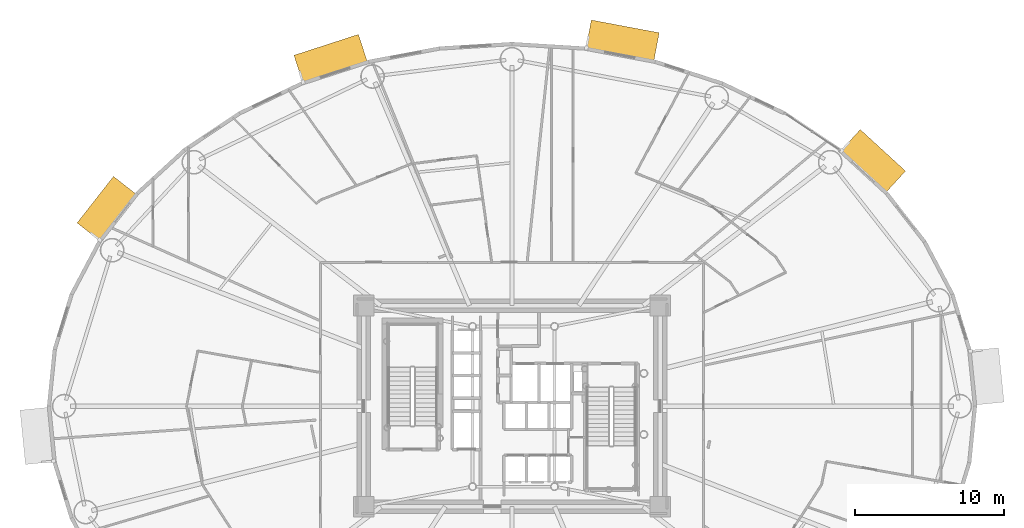
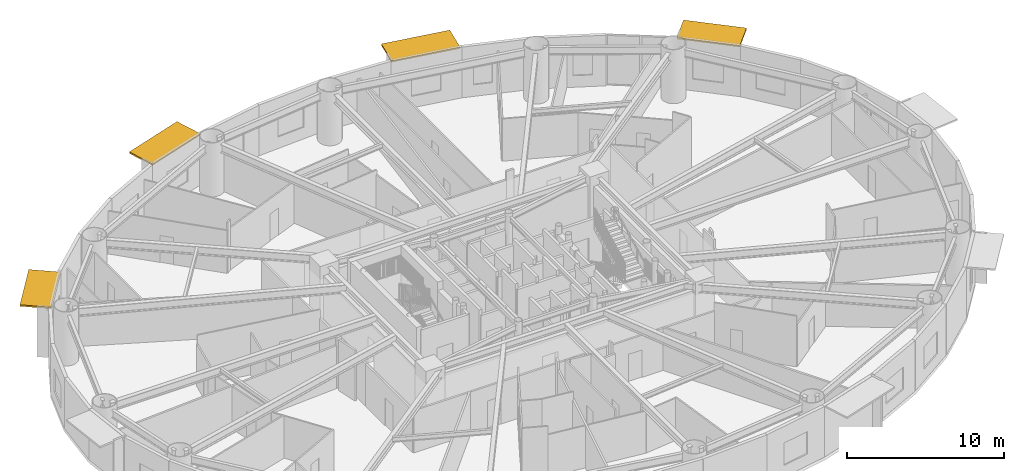
# One storey, part 20 of 20: 4 shading devices.
"""IFC4 building model written with IfcOpenShell, lengths in metres."""

from ifc_helpers import new_model, si_unit, direction, frame, origin, origin_2d, place, context, subcontext, project, spatial, rectangle, extrude, source, transform, mapped, material, layer, layer_set, type_object, element, save


model = new_model("IFC4")

# Units and contexts
model_context = context("Model", 3, precision=1e-05, world=origin(), true_north=direction((0.0, 1.0)))
body_context = subcontext(model_context, "Body", "Model", "MODEL_VIEW")
ifc_project = project(units=[si_unit("LENGTHUNIT", "METRE"), si_unit("AREAUNIT", "SQUARE_METRE"), si_unit("VOLUMEUNIT", "CUBIC_METRE"), si_unit("PLANEANGLEUNIT", "RADIAN"), si_unit("MASSUNIT", "GRAM", prefix="KILO")], contexts=[model_context])

# Site, building, storey
site_placement = place(None, origin())
site = spatial("IfcSite", under=ifc_project, at=site_placement, CompositionType="ELEMENT")
building_placement = place(site_placement, origin())
building = spatial("IfcBuilding", under=site, at=building_placement, Name="Linh Dai School and Residence Tower", CompositionType="ELEMENT")
storey_placement = place(building_placement, frame((0.0, 0.0, 66.0)))
storey = spatial("IfcBuildingStorey", under=building, at=storey_placement, Name="L15", CompositionType="ELEMENT", Elevation=66.0)

# Shading devices
ifc_material = material(Name="Terracotta Ceramic Sunshade", Category="masonry")
ifc_layer = layer(ifc_material, 0.1201171875)
ifc_layer_set = layer_set([ifc_layer], Name="Terracotta Ceramic Sunshade")
shading_device_type = type_object("IfcShadingDeviceType", Name="SHD-TC-2000", PredefinedType="USERDEFINED", material=ifc_layer_set)
shared_shape_1 = source(origin(), body_context, "Body", "SweptSolid", [
    extrude(rectangle(XDim=4.1220703125, YDim=2.0, at=origin_2d()), origin(), (0.0, 0.0, 1.0), 0.1201171875),
])
shading_device_1_placement = place(storey_placement, frame((60.2158203125, 43.43310546875, 3.81005859375), z_axis=(0.0, 0.0, 1.0), x_axis=(0.737113246362, -0.675769237268, 0.0)))
element("IfcShadingDevice", 1, at=shading_device_1_placement, inside=storey, type_object=shading_device_type, Name="L15 Terracotta Horizontal Sunshade Band 05", ObjectType="SUNSHADE", PredefinedType="USERDEFINED", context=body_context, shape_type="MappedRepresentation", body=[
    mapped(shared_shape_1, transform((0.0, 0.0, 0.0), x_axis=(1.0, 0.0, 0.0), y_axis=(0.0, 1.0, 0.0), z_axis=(0.0, 0.0, 1.0), scale=1.0)),
])
shared_shape_2 = source(origin(), body_context, "Body", "SweptSolid", [
    extrude(rectangle(XDim=4.635009765625, YDim=2.0, at=origin_2d()), origin(), (0.0, 0.0, 1.0), 0.1201171875),
])
shading_device_2_placement = place(storey_placement, frame((43.415283203125, 51.502685546875, 3.81005859375), z_axis=(0.0, 0.0, 1.0), x_axis=(0.982785935675, -0.184747948944, 0.0)))
element("IfcShadingDevice", 2, at=shading_device_2_placement, inside=storey, type_object=shading_device_type, Name="L15 Terracotta Horizontal Sunshade Band 09", ObjectType="SUNSHADE", PredefinedType="USERDEFINED", context=body_context, shape_type="MappedRepresentation", body=[
    mapped(shared_shape_2, transform((0.0, 0.0, 0.0), x_axis=(1.0, 0.0, 0.0), y_axis=(0.0, 1.0, 0.0), z_axis=(0.0, 0.0, 1.0), scale=1.0)),
])
shared_shape_3 = source(origin(), body_context, "Body", "SweptSolid", [
    extrude(rectangle(XDim=4.54931640625, YDim=2.0, at=origin_2d()), origin(), (0.0, 0.0, 1.0), 0.1201171875),
])
shading_device_3_placement = place(storey_placement, frame((23.839599609375, 50.29541015625, 3.81005859375), z_axis=(0.0, 0.0, 1.0), x_axis=(0.951220777043, 0.308510993844, 0.0)))
element("IfcShadingDevice", 3, at=shading_device_3_placement, inside=storey, type_object=shading_device_type, Name="L15 Terracotta Horizontal Sunshade Band 13", ObjectType="SUNSHADE", PredefinedType="USERDEFINED", context=body_context, shape_type="MappedRepresentation", body=[
    mapped(shared_shape_3, transform((0.0, 0.0, 0.0), x_axis=(1.0, 0.0, 0.0), y_axis=(0.0, 1.0, 0.0), z_axis=(0.0, 0.0, 1.0), scale=1.0)),
])
shared_shape_4 = source(origin(), body_context, "Body", "SweptSolid", [
    extrude(rectangle(XDim=3.964111328125, YDim=2.0, at=origin_2d()), origin(), (0.0, 0.0, 1.0), 0.1201171875),
])
shading_device_4_placement = place(storey_placement, frame((8.82177734375, 40.240478515625, 3.81005859375), z_axis=(0.0, 0.0, 1.0), x_axis=(0.616319427785, 0.787496262172, 0.0)))
element("IfcShadingDevice", 4, at=shading_device_4_placement, inside=storey, type_object=shading_device_type, Name="L15 Terracotta Horizontal Sunshade Band 17", ObjectType="SUNSHADE", PredefinedType="USERDEFINED", context=body_context, shape_type="MappedRepresentation", body=[
    mapped(shared_shape_4, transform((0.0, 0.0, 0.0), x_axis=(1.0, 0.0, 0.0), y_axis=(0.0, 1.0, 0.0), z_axis=(0.0, 0.0, 1.0), scale=1.0)),
])

save(model, "model.ifc")
